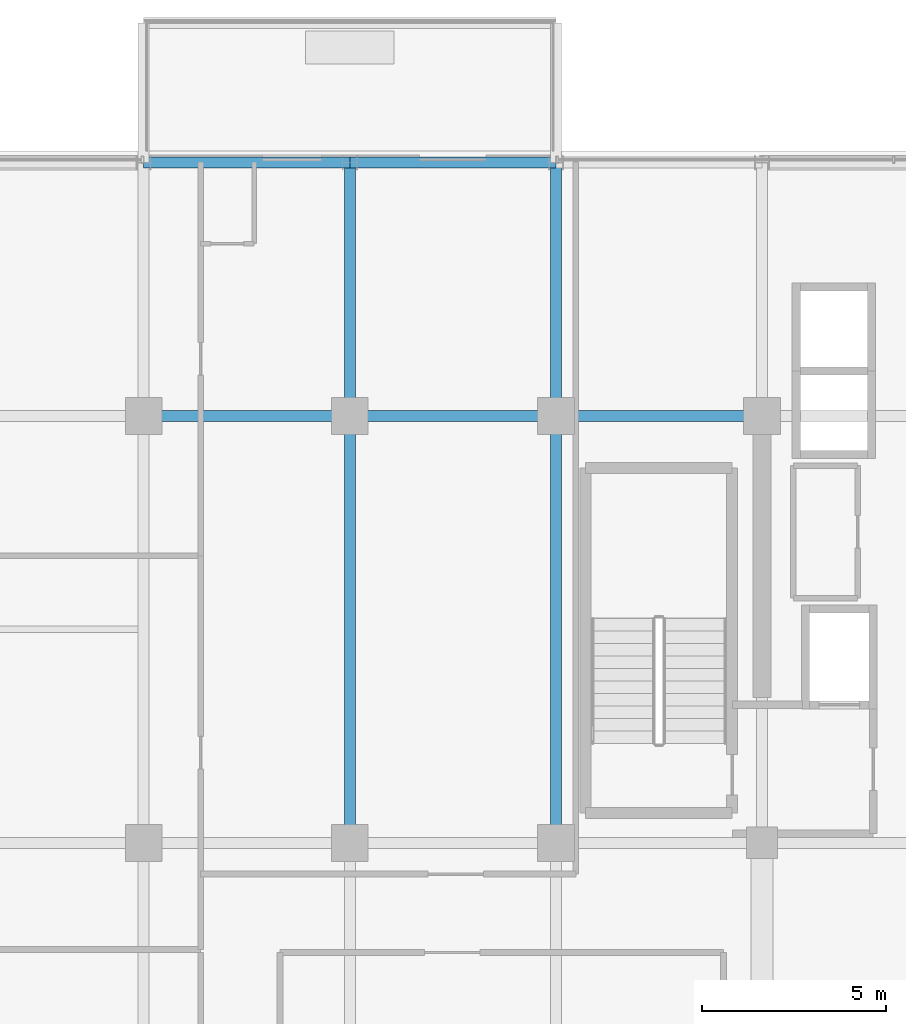
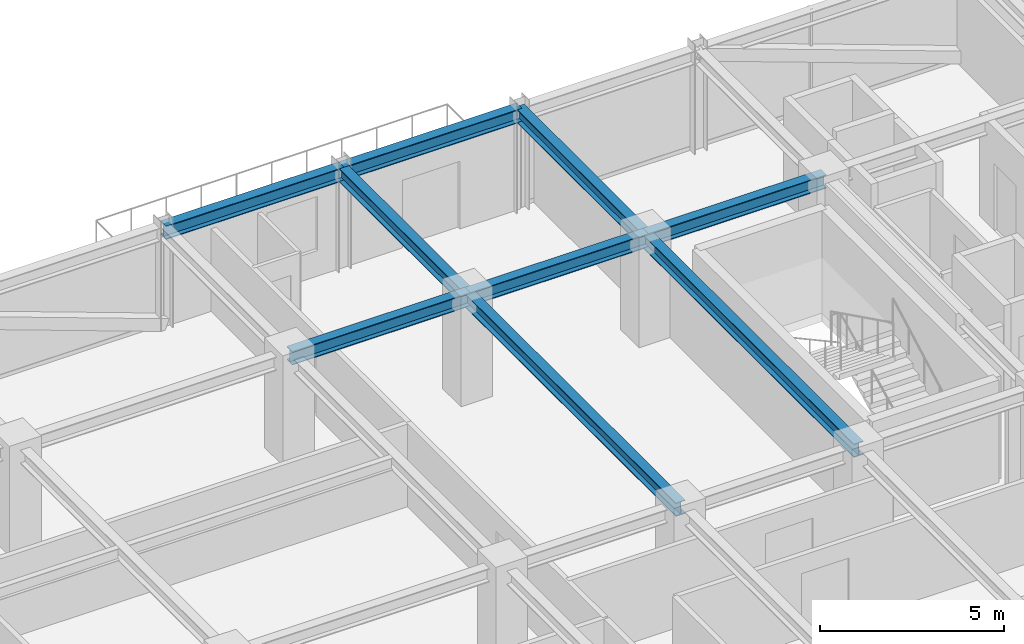
# One storey, part 22 of 42: 9 beams.
"""IFC4 building model written with IfcOpenShell, lengths in metres."""

from ifc_helpers import new_model, si_unit, direction, frame, origin, origin_2d, place, context, subcontext, project, spatial, i_section, extrude, source, transform, mapped, material, material_profile, profile_set, type_object, element, save


model = new_model("IFC4")

# Units and contexts
model_context = context("Model", 3, precision=1e-05, world=origin(), true_north=direction((0.0, 1.0)))
body_context = subcontext(model_context, "Body", "Model", "MODEL_VIEW")
ifc_project = project(units=[si_unit("LENGTHUNIT", "METRE"), si_unit("AREAUNIT", "SQUARE_METRE"), si_unit("VOLUMEUNIT", "CUBIC_METRE"), si_unit("PLANEANGLEUNIT", "RADIAN"), si_unit("MASSUNIT", "GRAM", prefix="KILO")], contexts=[model_context])

# Site, building, storey
site_placement = place(None, origin())
site = spatial("IfcSite", under=ifc_project, at=site_placement, CompositionType="ELEMENT")
building_placement = place(site_placement, origin())
building = spatial("IfcBuilding", under=site, at=building_placement, Name="Nahalor Promenade Grand Hotel", CompositionType="ELEMENT")
storey_placement = place(building_placement, frame((0.0, 0.0, 249.300048828125)))
storey = spatial("IfcBuildingStorey", under=building, at=storey_placement, Name="L64", CompositionType="ELEMENT", Elevation=249.300048828125)

# Beams
ifc_material = material(Name="Steel S355JR", Category="steel")
ifc_material_profile_1 = material_profile(ifc_material, i_section(OverallWidth=0.3, OverallDepth=0.45, WebThickness=0.014, FlangeThickness=0.026, at=origin_2d()), Name="HEB 450")
ifc_profile_set_1 = profile_set([ifc_material_profile_1], Name="Steel S355JR")
beam_type_1 = type_object("IfcBeamType", Name="Beam-Spandrel-HEB450", PredefinedType="SPANDREL", material=ifc_profile_set_1)
shared_shape_1 = source(origin(), body_context, "Body", "SweptSolid", [
    extrude(i_section(OverallWidth=0.3, OverallDepth=0.45, WebThickness=0.014, FlangeThickness=0.026, at=origin_2d()), origin(), (0.0, 0.0, 1.0), 5.599853515625),
])
beam_1_placement = place(storey_placement, frame((-8.39990234375, 23.8798828125, 3.18505859375), z_axis=(1.0, 0.0, 0.0), x_axis=(0.0, 1.0, 0.0)))
element("IfcBeam", 1, at=beam_1_placement, inside=storey, type_object=beam_type_1, Name="BM-L64-SP-N-1", PredefinedType="SPANDREL", context=body_context, shape_type="MappedRepresentation", body=[
    mapped(shared_shape_1, transform((0.0, 0.0, 0.0), scale=1.0)),
])
shared_shape_2 = source(origin(), body_context, "Body", "SweptSolid", [
    extrude(i_section(OverallWidth=0.3, OverallDepth=0.45, WebThickness=0.014, FlangeThickness=0.026, at=origin_2d()), origin(), (0.0, 0.0, 1.0), 5.60009765625),
])
beam_2_placement = place(storey_placement, frame((-2.800048828125, 23.8798828125, 3.18505859375), z_axis=(1.0, 0.0, 0.0), x_axis=(0.0, 1.0, 0.0)))
element("IfcBeam", 2, at=beam_2_placement, inside=storey, type_object=beam_type_1, Name="BM-L64-SP-N-2", PredefinedType="SPANDREL", context=body_context, shape_type="MappedRepresentation", body=[
    mapped(shared_shape_2, transform((0.0, 0.0, 0.0), scale=1.0)),
])
ifc_material_profile_2 = material_profile(ifc_material, i_section(OverallWidth=0.3, OverallDepth=0.45, WebThickness=0.014, FlangeThickness=0.026, at=origin_2d()), Name="HEB 450")
ifc_profile_set_2 = profile_set([ifc_material_profile_2], Name="Steel S355JR")
beam_type_2 = type_object("IfcBeamType", Name="Beam-Girder-HEB450", PredefinedType="BEAM", material=ifc_profile_set_2)
shared_shape_3 = source(origin(), body_context, "Body", "SweptSolid", [
    extrude(i_section(OverallWidth=0.3, OverallDepth=0.45, WebThickness=0.014, FlangeThickness=0.026, at=origin_2d()), origin(), (0.0, 0.0, 1.0), 6.8798828125),
])
for number, where, z_axis, x_axis, name in (
    (3, (-2.800048828125, 17.0, 3.18505859375), (0.0, 1.0, 0.0), (-1.0, 0.0, 0.0), "BM-L64-GY-2-4"),
    (4, (2.800048828125, 17.0, 3.18505859375), (0.0, 1.0, 0.0), (-1.0, 0.0, 0.0), "BM-L64-GY-3-4"),
):
    element("IfcBeam", number, at=place(storey_placement, frame(where, z_axis=z_axis, x_axis=x_axis)), inside=storey, type_object=beam_type_2, Name=name, PredefinedType="BEAM", context=body_context, shape_type="MappedRepresentation", body=[
        mapped(shared_shape_3, transform((0.0, 0.0, 0.0), scale=1.0)),
    ])
shared_shape_4 = source(origin(), body_context, "Body", "SweptSolid", [
    extrude(i_section(OverallWidth=0.3, OverallDepth=0.45, WebThickness=0.014, FlangeThickness=0.026, at=origin_2d()), origin(), (0.0, 0.0, 1.0), 5.599853515625),
])
for number, where, z_axis, x_axis, name in (
    (5, (-8.39990234375, 17.0, 3.18505859375), (1.0, 0.0, 0.0), (0.0, 1.0, 0.0), "BM-L64-GX-3-2"),
    (6, (2.800048828125, 17.0, 3.18505859375), (1.0, 0.0, 0.0), (0.0, 1.0, 0.0), "BM-L64-GX-3-4"),
):
    element("IfcBeam", number, at=place(storey_placement, frame(where, z_axis=z_axis, x_axis=x_axis)), inside=storey, type_object=beam_type_2, Name=name, PredefinedType="BEAM", context=body_context, shape_type="MappedRepresentation", body=[
        mapped(shared_shape_4, transform((0.0, 0.0, 0.0), scale=1.0)),
    ])
shared_shape_5 = source(origin(), body_context, "Body", "SweptSolid", [
    extrude(i_section(OverallWidth=0.3, OverallDepth=0.45, WebThickness=0.014, FlangeThickness=0.026, at=origin_2d()), origin(), (0.0, 0.0, 1.0), 5.60009765625),
])
beam_3_placement = place(storey_placement, frame((-2.800048828125, 17.0, 3.18505859375), z_axis=(1.0, 0.0, 0.0), x_axis=(0.0, 1.0, 0.0)))
element("IfcBeam", 7, at=beam_3_placement, inside=storey, type_object=beam_type_2, Name="BM-L64-GX-3-3", PredefinedType="BEAM", context=body_context, shape_type="MappedRepresentation", body=[
    mapped(shared_shape_5, transform((0.0, 0.0, 0.0), scale=1.0)),
])
shared_shape_6 = source(origin(), body_context, "Body", "SweptSolid", [
    extrude(i_section(OverallWidth=0.3, OverallDepth=0.45, WebThickness=0.014, FlangeThickness=0.026, at=origin_2d()), origin(), (0.0, 0.0, 1.0), 11.60009765625),
])
for number, where, z_axis, x_axis, name in (
    (8, (-2.800048828125, 5.39990234375, 3.18505859375), (0.0, 1.0, 0.0), (-1.0, 0.0, 0.0), "BM-L64-GY-2-3"),
    (9, (2.800048828125, 5.39990234375, 3.18505859375), (0.0, 1.0, 0.0), (-1.0, 0.0, 0.0), "BM-L64-GY-3-3"),
):
    element("IfcBeam", number, at=place(storey_placement, frame(where, z_axis=z_axis, x_axis=x_axis)), inside=storey, type_object=beam_type_2, Name=name, PredefinedType="BEAM", context=body_context, shape_type="MappedRepresentation", body=[
        mapped(shared_shape_6, transform((0.0, 0.0, 0.0), scale=1.0)),
    ])

save(model, "model.ifc")
